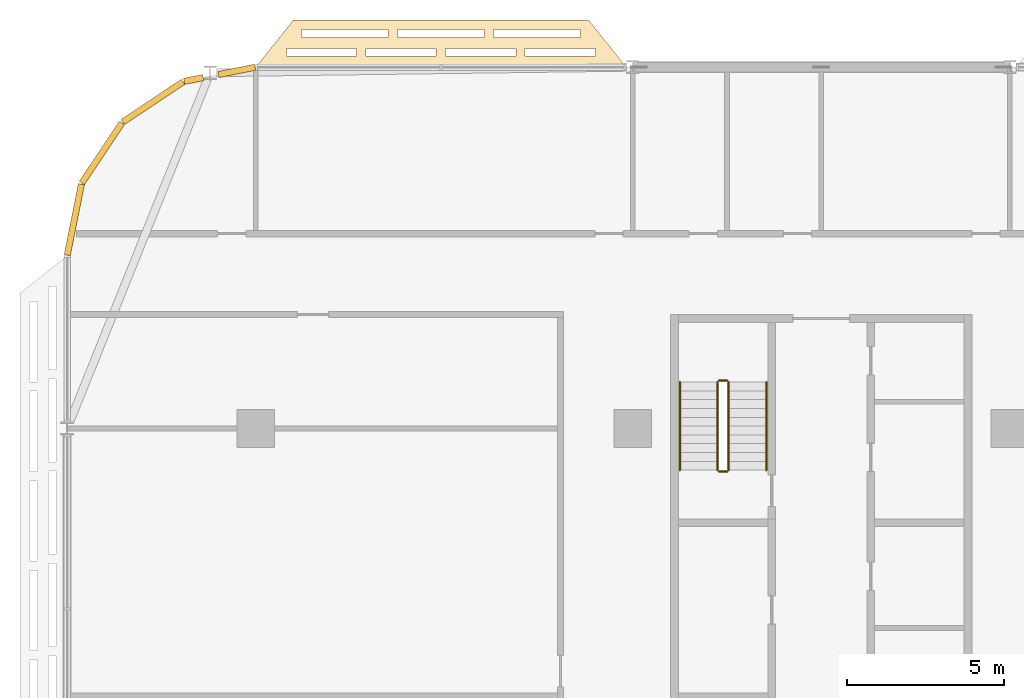
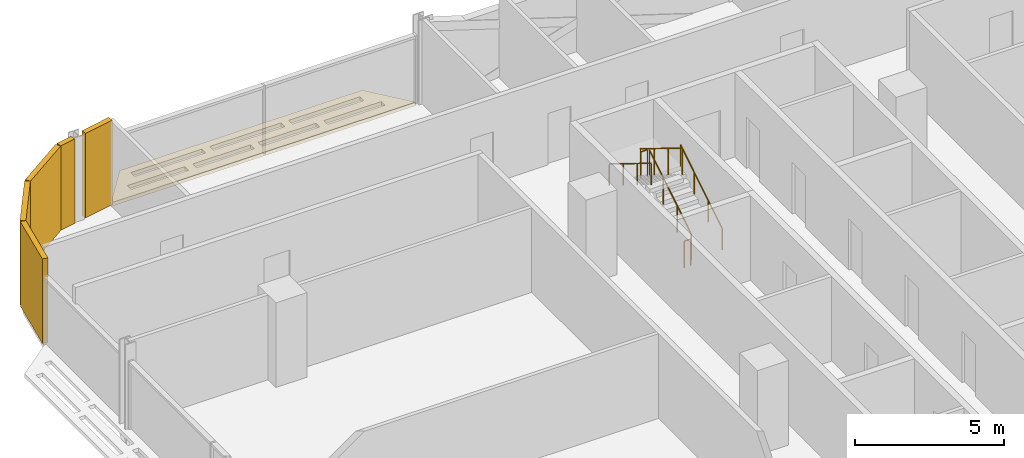
# One storey, part 24 of 27: 6 coverings, 6 railings.
"""IFC4 building model written with IfcOpenShell, lengths in metres."""

from ifc_helpers import new_model, si_unit, direction, frame, origin, origin_2d, place, context, subcontext, project, spatial, polyline, rectangle, circle, outline, extrude, material, layer, layer_set, type_object, element, save


model = new_model("IFC4")

# Units and contexts
model_context = context("Model", 3, precision=1e-05, world=origin(), true_north=direction((0.0, 1.0)))
body_context = subcontext(model_context, "Body", "Model", "MODEL_VIEW")
ifc_project = project(units=[si_unit("LENGTHUNIT", "METRE"), si_unit("AREAUNIT", "SQUARE_METRE"), si_unit("VOLUMEUNIT", "CUBIC_METRE"), si_unit("PLANEANGLEUNIT", "RADIAN"), si_unit("MASSUNIT", "GRAM", prefix="KILO")], contexts=[model_context])

# Site, building, storey
site_placement = place(None, origin())
site = spatial("IfcSite", under=ifc_project, at=site_placement, CompositionType="ELEMENT")
building_placement = place(site_placement, origin())
building = spatial("IfcBuilding", under=site, at=building_placement, Name="Mahtab Terrace Research Tower", CompositionType="ELEMENT")
storey_placement = place(building_placement, frame((0.0, 0.0, 163.0)))
storey = spatial("IfcBuildingStorey", under=building, at=storey_placement, Name="L38", CompositionType="ELEMENT", Elevation=163.0)

# Coverings
ifc_material_1 = material(Name="Black aluminium cladding panel", Category="aluminium")
ifc_layer_1 = layer(ifc_material_1, 0.199951171875)
ifc_layer_set_1 = layer_set([ifc_layer_1], Name="Black metal corner cladding 200")
covering_type_1 = type_object("IfcCoveringType", Name="Black metal corner cladding 200", PredefinedType="CLADDING", material=ifc_layer_set_1)
covering_1_placement = place(storey_placement, frame((-42.603271484375, 22.8798828125, 0.0), z_axis=(0.0, 0.0, 1.0), x_axis=(-0.980760981187, -0.195212442692, 0.0)))
element("IfcCovering", 1, at=covering_1_placement, inside=storey, type_object=covering_type_1, Name="Corner cladding L38 10", PredefinedType="CLADDING", context=body_context, shape_type="SweptSolid", body=[
    extrude(rectangle(XDim=1.1904296875, YDim=0.199951171875, at=origin_2d()), origin(), (0.0, 0.0, 1.0), 3.4599609375),
])
covering_2_placement = place(storey_placement, frame((-43.9716796875, 22.607666015625, 0.0), z_axis=(0.0, 0.0, 1.0), x_axis=(-0.980760981187, -0.195212442692, 0.0)))
element("IfcCovering", 2, at=covering_2_placement, inside=storey, type_object=covering_type_1, Name="Corner cladding L38 11", PredefinedType="CLADDING", context=body_context, shape_type="SweptSolid", body=[
    extrude(rectangle(XDim=0.62158203125, YDim=0.199951171875, at=origin_2d()), origin(), (0.0, 0.0, 1.0), 3.4599609375),
])
for number, where, z_axis, x_axis, name in (
    (3, (-45.26953125, 21.89306640625, 0.0), (0.0, 0.0, 1.0), (-0.831655794326, -0.555291490808, 0.0), "Corner cladding L38 12"),
    (4, (-46.89306640625, 20.26953125, 0.0), (0.0, 0.0, 1.0), (-0.555291490808, -0.831655794326, 0.0), "Corner cladding L38 13"),
    (5, (-47.771484375, 18.14794921875, 0.0), (0.0, 0.0, 1.0), (-0.195212442692, -0.980760981187, 0.0), "Corner cladding L38 14"),
):
    element("IfcCovering", number, at=place(storey_placement, frame(where, z_axis=z_axis, x_axis=x_axis)), inside=storey, type_object=covering_type_1, Name=name, PredefinedType="CLADDING", context=body_context, shape_type="SweptSolid", body=[
        extrude(rectangle(XDim=2.30126953125, YDim=0.199951171875, at=origin_2d()), origin(), (0.0, 0.0, 1.0), 3.4599609375),
    ])
ifc_material_2 = material(Name="Black anodised aluminium", Category="aluminium")
ifc_layer_2 = layer(ifc_material_2, 0.14990234375)
ifc_layer_set_2 = layer_set([ifc_layer_2], Name="Horizontal sunshade band")
covering_type_2 = type_object("IfcCoveringType", Name="Horizontal sunshade band", PredefinedType="CLADDING", material=ifc_layer_set_2)
covering_3_placement = place(storey_placement, frame((0.0, 0.0, -0.14990234375)))
element("IfcCovering", 6, at=covering_3_placement, inside=storey, type_object=covering_type_2, Name="Sunshade band L38 9", PredefinedType="CLADDING", context=body_context, shape_type="SweptSolid", body=[
    extrude(outline(polyline([(-30.2080078125, 23.0), (-42.0, 23.0), (-40.800048828125, 24.5), (-31.407958984375, 24.5), (-30.2080078125, 23.0)]), holes=[polyline([(-31.18798828125, 23.35009765625), (-33.4208984375, 23.35009765625), (-33.4208984375, 23.60009765625), (-31.18798828125, 23.60009765625), (-31.18798828125, 23.35009765625)]), polyline([(-33.720947265625, 23.35009765625), (-35.9541015625, 23.35009765625), (-35.9541015625, 23.60009765625), (-33.720947265625, 23.60009765625), (-33.720947265625, 23.35009765625)]), polyline([(-36.25390625, 23.35009765625), (-38.487060546875, 23.35009765625), (-38.487060546875, 23.60009765625), (-36.25390625, 23.60009765625), (-36.25390625, 23.35009765625)]), polyline([(-38.787109375, 23.35009765625), (-41.02001953125, 23.35009765625), (-41.02001953125, 23.60009765625), (-38.787109375, 23.60009765625), (-38.787109375, 23.35009765625)]), polyline([(-31.66796875, 23.949951171875), (-34.425048828125, 23.949951171875), (-34.425048828125, 24.199951171875), (-31.66796875, 24.199951171875), (-31.66796875, 23.949951171875)]), polyline([(-34.72509765625, 23.949951171875), (-37.48291015625, 23.949951171875), (-37.48291015625, 24.199951171875), (-34.72509765625, 24.199951171875), (-34.72509765625, 23.949951171875)]), polyline([(-37.782958984375, 23.949951171875), (-40.5400390625, 23.949951171875), (-40.5400390625, 24.199951171875), (-37.782958984375, 24.199951171875), (-37.782958984375, 23.949951171875)])]), origin(), (0.0, 0.0, 1.0), 0.14990234375),
])

# Railings
ifc_material_3 = material(Name="Stainless steel AISI 304", Category="steel")
railing_type_1 = type_object("IfcRailingType", Name="Stair guard 1100", PredefinedType="GUARDRAIL", material=ifc_material_3)
railing_1_placement = place(storey_placement, frame((-26.949951171875, 10.175048828125, 0.172607421875)))
element("IfcRailing", 7, at=railing_1_placement, inside=storey, type_object=railing_type_1, Name="L38 ST1 stair guard 1", PredefinedType="GUARDRAIL", context=body_context, shape_type="SweptSolid", body=[
    extrude(circle(Radius=0.02392578125, at=origin_2d()), frame((0.0, 0.0, 1.076171875), z_axis=(0.0, 0.851089632645, 0.525020415988), x_axis=(-1.0, 0.0, 0.0)), (0.0, 0.0, 1.0), 3.2900390625),
    extrude(circle(Radius=0.02099609375, at=origin_2d()), origin(), (0.0, 0.0, 1.0), 1.052001953125),
    extrude(circle(Radius=0.02099609375, at=origin_2d()), frame((0.0, 0.933349609375, 0.57568359375)), (0.0, 0.0, 1.0), 1.052001953125),
    extrude(circle(Radius=0.02099609375, at=origin_2d()), frame((0.0, 1.86669921875, 1.151611328125)), (0.0, 0.0, 1.0), 1.052001953125),
    extrude(circle(Radius=0.02099609375, at=origin_2d()), frame((0.0, 2.800048828125, 1.727294921875)), (0.0, 0.0, 1.0), 1.052001953125),
])
railing_2_placement = place(storey_placement, frame((-27.0, 13.02490234375, 1.89990234375)))
element("IfcRailing", 8, at=railing_2_placement, inside=storey, type_object=railing_type_1, Name="L38 ST1 stair guard 2", PredefinedType="GUARDRAIL", context=body_context, shape_type="SweptSolid", body=[
    extrude(circle(Radius=0.02392578125, at=origin_2d()), frame((0.0, 0.0, 1.076171875), z_axis=(-1.0, 0.0, 0.0), x_axis=(0.0, -1.0, 0.0)), (0.0, 0.0, 1.0), 0.25),
    extrude(circle(Radius=0.02099609375, at=origin_2d()), origin(), (0.0, 0.0, 1.0), 1.052001953125),
    extrude(circle(Radius=0.02099609375, at=origin_2d()), frame((-0.25, 0.0, 0.0)), (0.0, 0.0, 1.0), 1.052001953125),
])
railing_3_placement = place(storey_placement, frame((-27.300048828125, 12.97509765625, 2.07275390625)))
element("IfcRailing", 9, at=railing_3_placement, inside=storey, type_object=railing_type_1, Name="L38 ST1 stair guard 3", PredefinedType="GUARDRAIL", context=body_context, shape_type="SweptSolid", body=[
    extrude(circle(Radius=0.02392578125, at=origin_2d()), frame((0.0, 0.0, 1.076171875), z_axis=(0.0, -0.851089632645, 0.525020415988), x_axis=(1.0, 0.0, 0.0)), (0.0, 0.0, 1.0), 3.2900390625),
    extrude(circle(Radius=0.02099609375, at=origin_2d()), origin(), (0.0, 0.0, 1.0), 1.052001953125),
    extrude(circle(Radius=0.02099609375, at=origin_2d()), frame((0.0, -0.933349609375, 0.57568359375)), (0.0, 0.0, 1.0), 1.052001953125),
    extrude(circle(Radius=0.02099609375, at=origin_2d()), frame((0.0, -1.86669921875, 1.151611328125)), (0.0, 0.0, 1.0), 1.052001953125),
    extrude(circle(Radius=0.02099609375, at=origin_2d()), frame((0.0, -2.800048828125, 1.727294921875)), (0.0, 0.0, 1.0), 1.052001953125),
])
railing_4_placement = place(storey_placement, frame((-27.0, 10.125, 0.0)))
element("IfcRailing", 10, at=railing_4_placement, inside=storey, type_object=railing_type_1, Name="L38 ST1 stair guard 4", PredefinedType="GUARDRAIL", context=body_context, shape_type="SweptSolid", body=[
    extrude(circle(Radius=0.02392578125, at=origin_2d()), frame((0.0, 0.0, 1.076171875), z_axis=(-1.0, 0.0, 0.0), x_axis=(0.0, -1.0, 0.0)), (0.0, 0.0, 1.0), 0.25),
    extrude(circle(Radius=0.02099609375, at=origin_2d()), origin(), (0.0, 0.0, 1.0), 1.052001953125),
    extrude(circle(Radius=0.02099609375, at=origin_2d()), frame((-0.25, 0.0, 0.0)), (0.0, 0.0, 1.0), 1.052001953125),
])
railing_type_2 = type_object("IfcRailingType", Name="Stair handrail 900", PredefinedType="HANDRAIL", material=ifc_material_3)
railing_5_placement = place(storey_placement, frame((-25.75, 10.175048828125, 0.172607421875)))
element("IfcRailing", 11, at=railing_5_placement, inside=storey, type_object=railing_type_2, Name="L38 ST1 stair handrail 1", PredefinedType="HANDRAIL", context=body_context, shape_type="SweptSolid", body=[
    extrude(circle(Radius=0.02392578125, at=origin_2d()), frame((0.0, 0.0, 0.8759765625), z_axis=(0.0, 0.851089632645, 0.525020415988), x_axis=(-1.0, 0.0, 0.0)), (0.0, 0.0, 1.0), 3.2900390625),
    extrude(circle(Radius=0.02099609375, at=origin_2d()), origin(), (0.0, 0.0, 1.0), 0.851806640625),
    extrude(circle(Radius=0.02099609375, at=origin_2d()), frame((0.0, 0.933349609375, 0.57568359375)), (0.0, 0.0, 1.0), 0.851806640625),
    extrude(circle(Radius=0.02099609375, at=origin_2d()), frame((0.0, 1.86669921875, 1.151611328125)), (0.0, 0.0, 1.0), 0.851806640625),
    extrude(circle(Radius=0.02099609375, at=origin_2d()), frame((0.0, 2.800048828125, 1.727294921875)), (0.0, 0.0, 1.0), 0.851806640625),
])
railing_6_placement = place(storey_placement, frame((-28.5, 12.97509765625, 2.07275390625)))
element("IfcRailing", 12, at=railing_6_placement, inside=storey, type_object=railing_type_2, Name="L38 ST1 stair handrail 2", PredefinedType="HANDRAIL", context=body_context, shape_type="SweptSolid", body=[
    extrude(circle(Radius=0.02392578125, at=origin_2d()), frame((0.0, 0.0, 0.8759765625), z_axis=(0.0, -0.851089632645, 0.525020415988), x_axis=(1.0, 0.0, 0.0)), (0.0, 0.0, 1.0), 3.2900390625),
    extrude(circle(Radius=0.02099609375, at=origin_2d()), origin(), (0.0, 0.0, 1.0), 0.851806640625),
    extrude(circle(Radius=0.02099609375, at=origin_2d()), frame((0.0, -0.933349609375, 0.57568359375)), (0.0, 0.0, 1.0), 0.851806640625),
    extrude(circle(Radius=0.02099609375, at=origin_2d()), frame((0.0, -1.86669921875, 1.151611328125)), (0.0, 0.0, 1.0), 0.851806640625),
    extrude(circle(Radius=0.02099609375, at=origin_2d()), frame((0.0, -2.800048828125, 1.727294921875)), (0.0, 0.0, 1.0), 0.851806640625),
])

save(model, "model.ifc")
